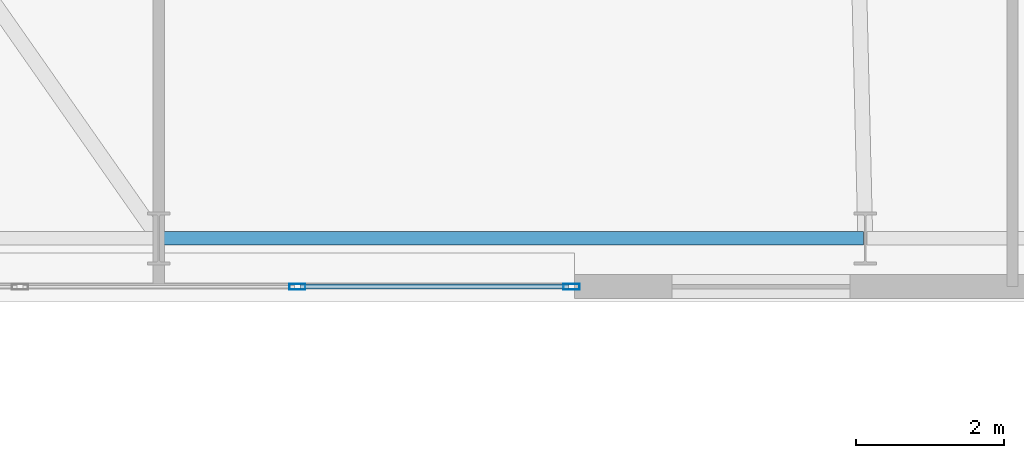
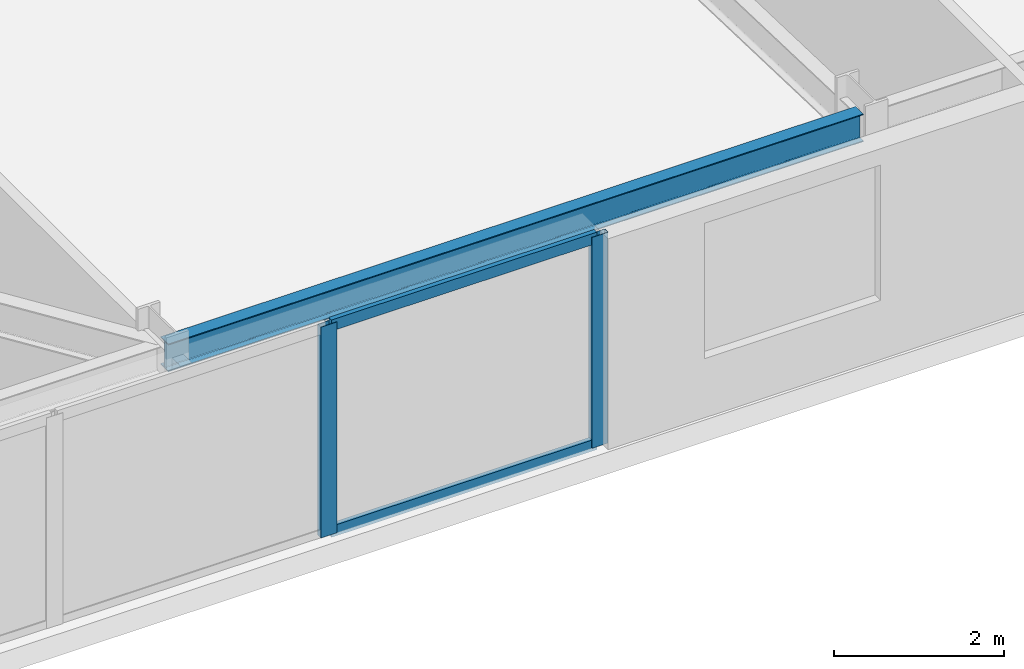
# One storey, part 8 of 24: 4 members, 1 beam, 1 element without a shape of its own.
"""IFC4 building model written with IfcOpenShell, lengths in metres."""

from ifc_helpers import new_model, si_unit, direction, frame, origin, origin_2d, place, context, subcontext, project, spatial, hollow_rectangle, i_section, extrude, material, layer, layer_set, material_profile, profile_set, type_object, element, aggregate, save


model = new_model("IFC4")

# Units and contexts
model_context = context("Model", 3, precision=1e-05, world=origin(), true_north=direction((0.0, 1.0)))
body_context = subcontext(model_context, "Body", "Model", "MODEL_VIEW")
ifc_project = project(units=[si_unit("LENGTHUNIT", "METRE"), si_unit("AREAUNIT", "SQUARE_METRE"), si_unit("VOLUMEUNIT", "CUBIC_METRE"), si_unit("PLANEANGLEUNIT", "RADIAN"), si_unit("MASSUNIT", "GRAM", prefix="KILO")], contexts=[model_context])

# Site, building, storey
site_placement = place(None, origin())
site = spatial("IfcSite", under=ifc_project, at=site_placement, CompositionType="ELEMENT")
building_placement = place(site_placement, origin())
building = spatial("IfcBuilding", under=site, at=building_placement, Name="Qobustan Lattice House", CompositionType="ELEMENT")
storey_placement = place(building_placement, frame((0.0, 0.0, 50.449951171875)))
storey = spatial("IfcBuildingStorey", under=building, at=storey_placement, Name="L13", CompositionType="ELEMENT", Elevation=50.449951171875)

# Beam
ifc_material_1 = material(Name="Steel S355", Category="steel")
ifc_material_profile_1 = material_profile(ifc_material_1, i_section(OverallWidth=0.179931640625, OverallDepth=0.39990234375, WebThickness=0.008544921875, FlangeThickness=0.013427734375, FilletRadius=0.02099609375, at=origin_2d()), Name="IPE400")
ifc_profile_set_1 = profile_set([ifc_material_profile_1], Name="Steel S355")
beam_type = type_object("IfcBeamType", Name="BM-SPD-IPE400", PredefinedType="SPANDREL", material=ifc_profile_set_1)
beam_placement = place(storey_placement, frame((0.02490234375, -18.75, 2.8349609375), z_axis=(1.0, 0.0, 0.0), x_axis=(0.0, 1.0, 0.0)))
element("IfcBeam", 1, at=beam_placement, inside=storey, type_object=beam_type, Name="L13 perimeter spandrel S4-S5", PredefinedType="SPANDREL", context=body_context, shape_type="SweptSolid", body=[
    extrude(i_section(OverallWidth=0.179931640625, OverallDepth=0.39990234375, WebThickness=0.008544921875, FlangeThickness=0.013427734375, FilletRadius=0.02099609375, at=origin_2d()), origin(), (0.0, 0.0, 1.0), 9.466796875),
])

# Curtain wall, members
ifc_material_2 = material(Name="Anodised aluminium and low-E glazing", Category="aluminium")
ifc_layer = layer(ifc_material_2, 0.219970703125)
ifc_layer_set = layer_set([ifc_layer], Name="Anodised aluminium and low-E glazing")
curtain_wall_type = type_object("IfcCurtainWallType", Name="CW-IWN-01", PredefinedType="USERDEFINED", material=ifc_layer_set)
curtain_wall_placement = place(storey_placement, origin())
curtain_wall = element("IfcCurtainWall", 2, at=curtain_wall_placement, inside=storey, type_object=curtain_wall_type, Name="L13 IWAN-1 walnut-lined iwan curtain wall", ObjectType="CURTAIN WALL", PredefinedType="USERDEFINED")
ifc_material_3 = material(Name="Anodised aluminium EN AW-6063 T6", Category="aluminium")
ifc_material_profile_2 = material_profile(ifc_material_3, hollow_rectangle(XDim=0.080078125, YDim=0.219970703125, WallThickness=0.0048828125, at=origin_2d()), Name="CWM-220x80")
ifc_profile_set_2 = profile_set([ifc_material_profile_2], Name="Anodised aluminium EN AW-6063 T6")
member_type_1 = type_object("IfcMemberType", Name="CWM-MAIN-220", PredefinedType="MULLION", material=ifc_profile_set_2)
member_1_placement = place(storey_placement, frame((5.56005859375, -19.39990234375, 0.0), z_axis=(0.0, 0.0, 1.0), x_axis=(0.0, -1.0, 0.0)))
member_1 = element("IfcMember", 3, at=member_1_placement, type_object=member_type_1, Name="CW-IW mullion 1", PredefinedType="MULLION", context=body_context, shape_type="SweptSolid", body=[
    extrude(hollow_rectangle(XDim=0.080078125, YDim=0.219970703125, WallThickness=0.0048828125, at=origin_2d()), origin(), (0.0, 0.0, 1.0), 3.03515625),
])
member_2_placement = place(storey_placement, frame((1.86669921875, -19.39990234375, 0.0), z_axis=(0.0, 0.0, 1.0), x_axis=(0.0, -1.0, 0.0)))
member_2 = element("IfcMember", 4, at=member_2_placement, type_object=member_type_1, Name="CW-IW mullion 2", PredefinedType="MULLION", context=body_context, shape_type="SweptSolid", body=[
    extrude(hollow_rectangle(XDim=0.080078125, YDim=0.219970703125, WallThickness=0.0048828125, at=origin_2d()), origin(), (0.0, 0.0, 1.0), 3.03515625),
])
ifc_material_4 = material(Name="Anodised aluminium EN AW-6063 T6", Category="aluminium")
ifc_material_profile_3 = material_profile(ifc_material_4, hollow_rectangle(XDim=0.06494140625, YDim=0.159912109375, WallThickness=0.00390625, at=origin_2d()), Name="CWT-160x65")
ifc_profile_set_3 = profile_set([ifc_material_profile_3], Name="Anodised aluminium EN AW-6063 T6")
member_type_2 = type_object("IfcMemberType", Name="CWT-HOR-160", PredefinedType="USERDEFINED", material=ifc_profile_set_3)
member_3_placement = place(storey_placement, frame((5.52001953125, -19.39990234375, 0.032470703125), z_axis=(-1.0, 0.0, 0.0), x_axis=(0.0, -1.0, 0.0)))
member_3 = element("IfcMember", 5, at=member_3_placement, type_object=member_type_2, Name="CW-IW transom 1.1", ObjectType="TRANSOM", PredefinedType="USERDEFINED", context=body_context, shape_type="SweptSolid", body=[
    extrude(hollow_rectangle(XDim=0.06494140625, YDim=0.159912109375, WallThickness=0.00390625, at=origin_2d()), origin(), (0.0, 0.0, 1.0), 3.61328125),
])
member_4_placement = place(storey_placement, frame((5.52001953125, -19.39990234375, 3.00244140625), z_axis=(-1.0, 0.0, 0.0), x_axis=(0.0, -1.0, 0.0)))
member_4 = element("IfcMember", 6, at=member_4_placement, type_object=member_type_2, Name="CW-IW transom 1.2", ObjectType="TRANSOM", PredefinedType="USERDEFINED", context=body_context, shape_type="SweptSolid", body=[
    extrude(hollow_rectangle(XDim=0.06494140625, YDim=0.159912109375, WallThickness=0.00390625, at=origin_2d()), origin(), (0.0, 0.0, 1.0), 3.61328125),
])
aggregate(curtain_wall, [member_1, member_2, member_3, member_4])

save(model, "model.ifc")
